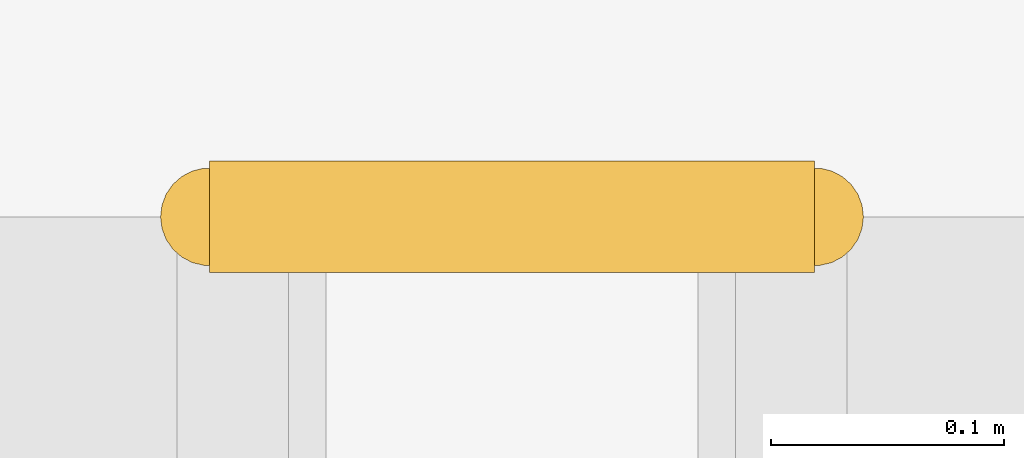
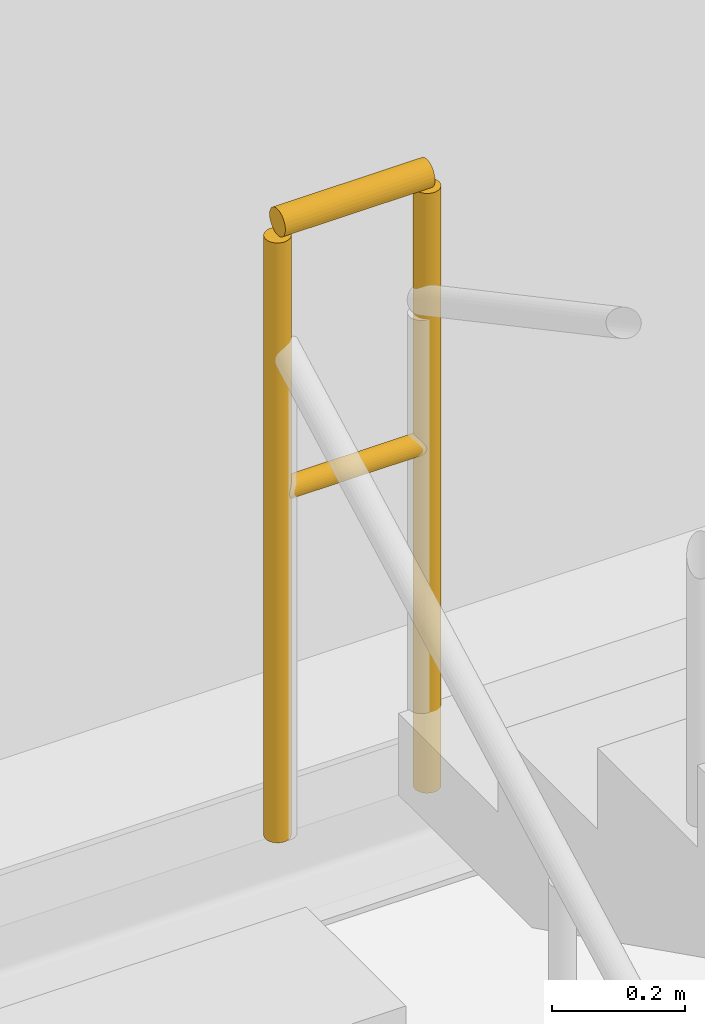
# One storey, part 31 of 32: 1 railing.
"""IFC4 building model written with IfcOpenShell, lengths in metres."""

import ifcopenshell
import ifcopenshell.guid

model = None  # the IFC model being written
_history = None  # IfcOwnerHistory: only IFC2X3 demands one
_inside = {}  # id of a spatial element -> (the spatial element, [elements in it])
_under = {}  # id of a project, library or spatial element -> (it, [spatial elements below it])
_declared = {}  # id of a project -> (the project, [libraries it declares])
_typed = {}  # id of a type object -> (the type object, [elements of that type])
_made_of = {}  # id of a material, layer set ... -> (it, [elements and type objects made of it])


def new_model(schema):
    """Start an empty IFC model of exactly this schema.

    Asked for "IFC4X3", IfcOpenShell would pick the latest addendum, in which some entities
    have other attributes; the version numbers below select the first issue.
    IFC2X3 requires an IfcOwnerHistory on every rooted entity: one is made here for all.
    """
    global model, _history
    if schema == "IFC4X3":
        model = ifcopenshell.file(schema_version=(4, 3, 0, 0))
    else:
        model = ifcopenshell.file(schema=schema)
    _inside.clear()
    _under.clear()
    _declared.clear()
    _typed.clear()
    _made_of.clear()
    _history = None
    if model.schema == "IFC2X3":
        org = make("IfcOrganization", Name="unknown")
        user = make(
            "IfcPersonAndOrganization",
            ThePerson=make("IfcPerson", FamilyName="unknown"),
            TheOrganization=org,
        )
        app = make(
            "IfcApplication",
            ApplicationDeveloper=org,
            Version="unknown",
            ApplicationFullName="unknown",
            ApplicationIdentifier="unknown",
        )
        _history = make(
            "IfcOwnerHistory",
            OwningUser=user,
            OwningApplication=app,
            ChangeAction="ADDED",
            CreationDate=0,
        )
    return model


def make(cls, **values):
    """One entity of the class cls with the attributes given. An attribute that is None is left unset."""
    return model.create_entity(
        cls, **{name: value for name, value in values.items() if value is not None}
    )


def rooted(cls, **values):
    """An entity with a GlobalId (a new one), such as an element, a storey or a relation."""
    return make(cls, GlobalId=ifcopenshell.guid.new(), OwnerHistory=_history, **values)


def si_unit(unit_type, name, prefix=None):
    """IfcSIUnit, for example si_unit("LENGTHUNIT", "METRE", prefix="MILLI")."""
    return make("IfcSIUnit", UnitType=unit_type, Prefix=prefix, Name=name)


def assignment(units):
    """IfcUnitAssignment: the units of a project."""
    return None if units is None else make("IfcUnitAssignment", Units=units)


def point(xyz):
    """IfcCartesianPoint."""
    return None if xyz is None else make("IfcCartesianPoint", Coordinates=xyz)


def direction(xyz):
    """IfcDirection."""
    return None if xyz is None else make("IfcDirection", DirectionRatios=xyz)


def frame(location, z_axis=None, x_axis=None):
    """IfcAxis2Placement3D, a coordinate frame: its origin and axes. An axis left out is left unset."""
    return make(
        "IfcAxis2Placement3D",
        Location=point(location),
        Axis=direction(z_axis),
        RefDirection=direction(x_axis),
    )


def frame_2d(location, x_axis=None):
    """IfcAxis2Placement2D, a coordinate frame in the plane: its origin and x axis."""
    return make(
        "IfcAxis2Placement2D", Location=point(location), RefDirection=direction(x_axis)
    )


def origin():
    """The frame at (0, 0, 0) with its axes left unset."""
    return frame((0.0, 0.0, 0.0))


def origin_2d():
    """The frame at (0, 0) in the plane with its x axis left unset."""
    return frame_2d((0.0, 0.0))


def place(relative_to, where):
    """IfcLocalPlacement: puts the frame where relative to a parent placement (None: the world)."""
    return make(
        "IfcLocalPlacement", PlacementRelTo=relative_to, RelativePlacement=where
    )


def context(
    kind, dimensions, precision=None, world=None, true_north=None, identifier=None
):
    """IfcGeometricRepresentationContext, for example the 3D "Model" context."""
    return make(
        "IfcGeometricRepresentationContext",
        ContextIdentifier=identifier,
        ContextType=kind,
        CoordinateSpaceDimension=dimensions,
        Precision=precision,
        WorldCoordinateSystem=world,
        TrueNorth=true_north,
    )


def subcontext(parent, identifier, kind, view, scale=None):
    """IfcGeometricRepresentationSubContext, for example "Body" below "Model"."""
    return make(
        "IfcGeometricRepresentationSubContext",
        ContextIdentifier=identifier,
        ContextType=kind,
        ParentContext=parent,
        TargetScale=scale,
        TargetView=view,
    )


def project(units=None, contexts=None):
    """IfcProject with its units and contexts."""
    return rooted(
        "IfcProject",
        Name="project",
        RepresentationContexts=contexts,
        UnitsInContext=assignment(units),
    )


def spatial(cls, under=None, at=None, **own):
    """A site, building, storey or space (cls), placed at a placement, below another one or the project."""
    s = rooted(cls, ObjectPlacement=at, **own)
    if under is not None:
        _under.setdefault(under.id(), (under, []))[1].append(s)
    return s


def profile(cls, at=None, kind="AREA", **sizes):
    """A parametric profile (cls). Its sizes go by their IFC names, for example OverallWidth=200.0."""
    return make(cls, ProfileType=kind, Position=at, **sizes)


def circle(**sizes):
    """IfcCircleProfileDef."""
    return profile("IfcCircleProfileDef", **sizes)


def extrude(swept, where, along, depth):
    """IfcExtrudedAreaSolid: the profile swept, set in the frame where, extruded along a direction by depth."""
    return make(
        "IfcExtrudedAreaSolid",
        SweptArea=swept,
        Position=where,
        ExtrudedDirection=direction(along),
        Depth=depth,
    )


def shape(context_of_items, identifier, shape_type, items):
    """IfcShapeRepresentation: the items that make up one representation, for example the "Body"."""
    return make(
        "IfcShapeRepresentation",
        ContextOfItems=context_of_items,
        RepresentationIdentifier=identifier,
        RepresentationType=shape_type,
        Items=items,
    )


def material(Name=None, Category=None):
    """IfcMaterial."""
    return make("IfcMaterial", Name=Name, Category=Category)


def made_of(thing, what):
    """Note that an element or type object is made of a material, layer set ...; save() writes the relation."""
    if what is not None:
        _made_of.setdefault(what.id(), (what, []))[1].append(thing)
    return thing


def type_object(cls, material=None, **own):
    """A type object (cls), such as IfcWallType, which elements share."""
    return made_of(rooted(cls, **own), material)


def element(
    cls,
    number,
    at=None,
    inside=None,
    cuts=None,
    type_object=None,
    material=None,
    context=None,
    identifier="Body",
    shape_type=None,
    held_by="IfcProductDefinitionShape",
    body=None,
    shapes=None,
    **own,
):
    """One element of the class cls, such as IfcWall. Its Tag is "e" and its number.

    at: its placement. inside: the storey or other place that contains it. cuts: it is an
    opening in that element (IfcRelVoidsElement). A single representation is given by context,
    identifier, shape_type and body (its items); several are given by shapes. held_by: the class
    of the entity that holds the representations. save() writes the other relations.
    """
    e = rooted(cls, Tag="e%d" % number, ObjectPlacement=at, **own)
    if body is not None:
        shapes = [shape(context, identifier, shape_type, body)]
    if shapes is not None:
        e.Representation = make(held_by, Representations=shapes)
    if inside is not None:
        _inside.setdefault(inside.id(), (inside, []))[1].append(e)
    if cuts is not None:
        rooted(
            "IfcRelVoidsElement", RelatingBuildingElement=cuts, RelatedOpeningElement=e
        )
    if type_object is not None:
        _typed.setdefault(type_object.id(), (type_object, []))[1].append(e)
    return made_of(e, material)


def aggregate(whole, parts):
    """IfcRelAggregates: a whole, such as a stair, and the parts it consists of."""
    return rooted("IfcRelAggregates", RelatingObject=whole, RelatedObjects=parts)


def save(model, path):
    """Write the relations noted so far, then the file.

    IfcRelAggregates (storeys below a building ...), IfcRelContainedInSpatialStructure (elements
    in a storey), IfcRelDefinesByType, IfcRelAssociatesMaterial and IfcRelDeclares: one each for
    every whole, place, type object, material and project.
    """
    for whole, parts in _under.values():
        aggregate(whole, parts)
    for where, things in _inside.values():
        rooted(
            "IfcRelContainedInSpatialStructure",
            RelatedElements=things,
            RelatingStructure=where,
        )
    for kind, things in _typed.values():
        rooted("IfcRelDefinesByType", RelatedObjects=things, RelatingType=kind)
    for what, things in _made_of.values():
        rooted("IfcRelAssociatesMaterial", RelatedObjects=things, RelatingMaterial=what)
    for by, libraries in _declared.values():
        rooted("IfcRelDeclares", RelatingContext=by, RelatedDefinitions=libraries)
    model.write(path)


model = new_model("IFC4")

# Units and contexts
model_context = context("Model", 3, precision=1e-05, world=origin(), true_north=direction((0.0, 1.0)))
body_context = subcontext(model_context, "Body", "Model", "MODEL_VIEW")
ifc_project = project(units=[si_unit("LENGTHUNIT", "METRE"), si_unit("AREAUNIT", "SQUARE_METRE"), si_unit("VOLUMEUNIT", "CUBIC_METRE"), si_unit("PLANEANGLEUNIT", "RADIAN"), si_unit("MASSUNIT", "GRAM", prefix="KILO")], contexts=[model_context])

# Site, building, storey
site_placement = place(None, origin())
site = spatial("IfcSite", under=ifc_project, at=site_placement, CompositionType="ELEMENT")
building_placement = place(site_placement, origin())
building = spatial("IfcBuilding", under=site, at=building_placement, Name="Varnakota Square Police Headquarters", CompositionType="ELEMENT")
storey_placement = place(building_placement, frame((0.0, 0.0, -4.5)))
storey = spatial("IfcBuildingStorey", under=building, at=storey_placement, Name="B1", CompositionType="ELEMENT", Elevation=-4.5)

# Railing
ifc_material = material(Name="Laminated Glass and Stainless Steel Balustrade", Category="steel")
railing_type = type_object("IfcRailingType", Name="RL-INT-1150", PredefinedType="BALUSTRADE", material=ifc_material)
railing_placement = place(storey_placement, frame((134.820068359375, 107.150634765625, 2.25)))
element("IfcRailing", 1, at=railing_placement, inside=storey, type_object=railing_type, Name="Half-landing well guard C8 B1", PredefinedType="BALUSTRADE", context=body_context, shape_type="SweptSolid", body=[
    extrude(circle(Radius=0.02392578125, at=origin_2d()), frame((0.0, 0.0, 1.1259765625), z_axis=(1.0, 0.0, 0.0), x_axis=(0.0, 1.0, 0.0)), (0.0, 0.0, 1.0), 0.260009765625),
    extrude(circle(Radius=0.01806640625, at=origin_2d()), frame((0.0, 0.0, 0.63232421875), z_axis=(1.0, 0.0, 0.0), x_axis=(0.0, 1.0, 0.0)), (0.0, 0.0, 1.0), 0.260009765625),
    extrude(circle(Radius=0.02099609375, at=origin_2d()), origin(), (0.0, 0.0, 1.0), 1.101806640625),
    extrude(circle(Radius=0.02099609375, at=origin_2d()), frame((0.260009765625, 0.0, 0.0)), (0.0, 0.0, 1.0), 1.101806640625),
])

save(model, "model.ifc")
